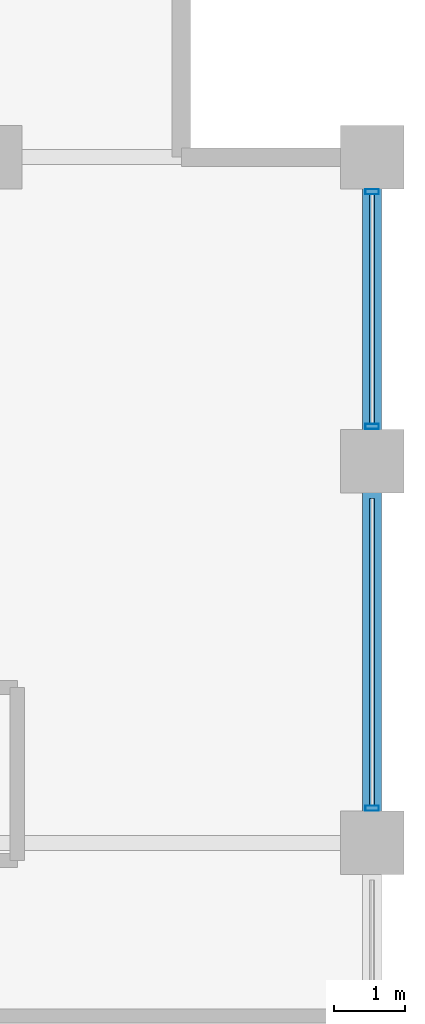
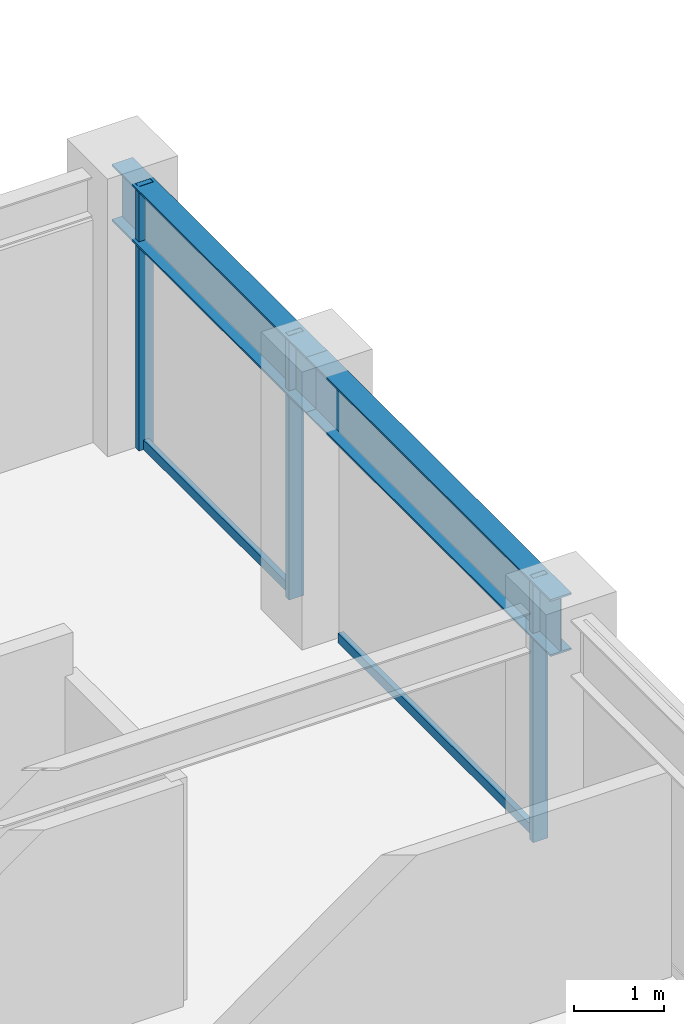
# One storey, part 25 of 32: 5 members, 2 beams, 1 element without a shape of its own.
"""IFC4 building model written with IfcOpenShell, lengths in metres."""

from ifc_helpers import new_model, si_unit, direction, frame, origin, origin_2d, place, context, subcontext, project, spatial, hollow_rectangle, i_section, extrude, material, layer, layer_set, material_profile, profile_set, type_object, element, aggregate, save


model = new_model("IFC4")

# Units and contexts
model_context = context("Model", 3, precision=1e-05, world=origin(), true_north=direction((0.0, 1.0)))
body_context = subcontext(model_context, "Body", "Model", "MODEL_VIEW")
ifc_project = project(units=[si_unit("LENGTHUNIT", "METRE"), si_unit("AREAUNIT", "SQUARE_METRE"), si_unit("VOLUMEUNIT", "CUBIC_METRE"), si_unit("PLANEANGLEUNIT", "RADIAN"), si_unit("MASSUNIT", "GRAM", prefix="KILO")], contexts=[model_context])

# Site, building, storey
site_placement = place(None, origin())
site = spatial("IfcSite", under=ifc_project, at=site_placement, CompositionType="ELEMENT")
building_placement = place(site_placement, origin())
building = spatial("IfcBuilding", under=site, at=building_placement, Name="Surkhivell Harbour Commons", CompositionType="ELEMENT")
storey_placement = place(building_placement, frame((0.0, 0.0, 212.25)))
storey = spatial("IfcBuildingStorey", under=building, at=storey_placement, Name="L55", CompositionType="ELEMENT", Elevation=212.25)

# Beams
ifc_material_1 = material(Name="Steel S355", Category="steel")
ifc_material_profile_1 = material_profile(ifc_material_1, i_section(OverallWidth=0.26806640625, OverallDepth=0.77001953125, WebThickness=0.015625, FlangeThickness=0.025390625, at=origin_2d()), Name="UB762x267x197")
ifc_profile_set_1 = profile_set([ifc_material_profile_1], Name="Steel S355")
beam_type = type_object("IfcBeamType", Name="BM-SPN-762", PredefinedType="SPANDREL", material=ifc_profile_set_1)
beam_1_placement = place(storey_placement, frame((21.60009765625, 10.800048828125, 3.18505859375), z_axis=(0.0, 1.0, 0.0), x_axis=(-1.0, 0.0, 0.0)))
element("IfcBeam", 1, at=beam_1_placement, inside=storey, type_object=beam_type, Name="L55 Tube Spandrel (21.6,10.8)", PredefinedType="SPANDREL", context=body_context, shape_type="SweptSolid", body=[
    extrude(i_section(OverallWidth=0.26806640625, OverallDepth=0.77001953125, WebThickness=0.015625, FlangeThickness=0.025390625, at=origin_2d()), origin(), (0.0, 0.0, 1.0), 5.39990234375),
])
beam_2_placement = place(storey_placement, frame((21.60009765625, 16.199951171875, 3.18505859375), z_axis=(0.0, 1.0, 0.0), x_axis=(-1.0, 0.0, 0.0)))
element("IfcBeam", 2, at=beam_2_placement, inside=storey, type_object=beam_type, Name="L55 Tube Spandrel (21.6,16.2)", PredefinedType="SPANDREL", context=body_context, shape_type="SweptSolid", body=[
    extrude(i_section(OverallWidth=0.26806640625, OverallDepth=0.77001953125, WebThickness=0.015625, FlangeThickness=0.025390625, at=origin_2d()), origin(), (0.0, 0.0, 1.0), 4.300048828125),
])

# Curtain wall, members
ifc_material_2 = material(Name="Anodised pale-metal aluminium and insulated glazing", Category="aluminium")
ifc_layer = layer(ifc_material_2, 0.18994140625)
ifc_layer_set = layer_set([ifc_layer], Name="Anodised pale-metal aluminium and insulated glazing")
curtain_wall_type = type_object("IfcCurtainWallType", Name="CW-SYS-Z3", PredefinedType="NOTDEFINED", material=ifc_layer_set)
curtain_wall_placement = place(storey_placement, origin())
curtain_wall = element("IfcCurtainWall", 3, at=curtain_wall_placement, inside=storey, type_object=curtain_wall_type, Name="L55 Curtain Wall CW-L55-E02", PredefinedType="NOTDEFINED")
ifc_material_3 = material(Name="Anodised pale-metal aluminium alloy 6063-T6", Category="aluminium")
ifc_material_profile_2 = material_profile(ifc_material_3, hollow_rectangle(XDim=0.074951171875, YDim=0.18994140625, WallThickness=0.00390625, at=origin_2d()), Name="ALU-MULL-75x190")
ifc_profile_set_2 = profile_set([ifc_material_profile_2], Name="Anodised pale-metal aluminium alloy 6063-T6")
member_type_1 = type_object("IfcMemberType", Name="CWM-190", PredefinedType="MULLION", material=ifc_profile_set_2)
member_1_placement = place(storey_placement, frame((21.60009765625, 11.28955078125, 0.0), z_axis=(0.0, 0.0, 1.0), x_axis=(0.0, 1.0, 0.0)))
member_1 = element("IfcMember", 4, at=member_1_placement, type_object=member_type_1, Name="CW-Z3 mullion 4", PredefinedType="MULLION", context=body_context, shape_type="SweptSolid", body=[
    extrude(hollow_rectangle(XDim=0.074951171875, YDim=0.18994140625, WallThickness=0.00390625, at=origin_2d()), origin(), (0.0, 0.0, 1.0), 3.570068359375),
])
member_2_placement = place(storey_placement, frame((21.60009765625, 16.689453125, 0.0), z_axis=(0.0, 0.0, 1.0), x_axis=(0.0, 1.0, 0.0)))
member_2 = element("IfcMember", 5, at=member_2_placement, type_object=member_type_1, Name="CW-Z3 mullion 5", PredefinedType="MULLION", context=body_context, shape_type="SweptSolid", body=[
    extrude(hollow_rectangle(XDim=0.074951171875, YDim=0.18994140625, WallThickness=0.00390625, at=origin_2d()), origin(), (0.0, 0.0, 1.0), 3.570068359375),
])
member_3_placement = place(storey_placement, frame((21.60009765625, 20.010498046875, 0.0), z_axis=(0.0, 0.0, 1.0), x_axis=(0.0, 1.0, 0.0)))
member_3 = element("IfcMember", 6, at=member_3_placement, type_object=member_type_1, Name="CW-Z3 mullion 6", PredefinedType="MULLION", context=body_context, shape_type="SweptSolid", body=[
    extrude(hollow_rectangle(XDim=0.074951171875, YDim=0.18994140625, WallThickness=0.00390625, at=origin_2d()), origin(), (0.0, 0.0, 1.0), 3.570068359375),
])
ifc_material_4 = material(Name="Champagne anodised aluminium alloy 6063-T6", Category="aluminium")
ifc_material_profile_3 = material_profile(ifc_material_4, hollow_rectangle(XDim=0.070068359375, YDim=0.1298828125, WallThickness=0.00341796875, at=origin_2d()), Name="ALU-TRAN-70x130")
ifc_profile_set_3 = profile_set([ifc_material_profile_3], Name="Champagne anodised aluminium alloy 6063-T6")
member_type_2 = type_object("IfcMemberType", Name="CWT-130", PredefinedType="USERDEFINED", material=ifc_profile_set_3)
member_4_placement = place(storey_placement, frame((21.60009765625, 11.326904296875, 0.06494140625), z_axis=(0.0, 1.0, 0.0), x_axis=(-1.0, 0.0, 0.0)))
member_4 = element("IfcMember", 7, at=member_4_placement, type_object=member_type_2, Name="CW-Z3 transom 4.1", ObjectType="TRANSOM", PredefinedType="USERDEFINED", context=body_context, shape_type="SweptSolid", body=[
    extrude(hollow_rectangle(XDim=0.070068359375, YDim=0.1298828125, WallThickness=0.00341796875, at=origin_2d()), origin(), (0.0, 0.0, 1.0), 4.34619140625),
])
member_5_placement = place(storey_placement, frame((21.60009765625, 16.72705078125, 0.06494140625), z_axis=(0.0, 1.0, 0.0), x_axis=(-1.0, 0.0, 0.0)))
member_5 = element("IfcMember", 8, at=member_5_placement, type_object=member_type_2, Name="CW-Z3 transom 5.1", ObjectType="TRANSOM", PredefinedType="USERDEFINED", context=body_context, shape_type="SweptSolid", body=[
    extrude(hollow_rectangle(XDim=0.070068359375, YDim=0.1298828125, WallThickness=0.00341796875, at=origin_2d()), origin(), (0.0, 0.0, 1.0), 3.245849609375),
])
aggregate(curtain_wall, [member_1, member_4, member_2, member_3, member_5])

save(model, "model.ifc")
